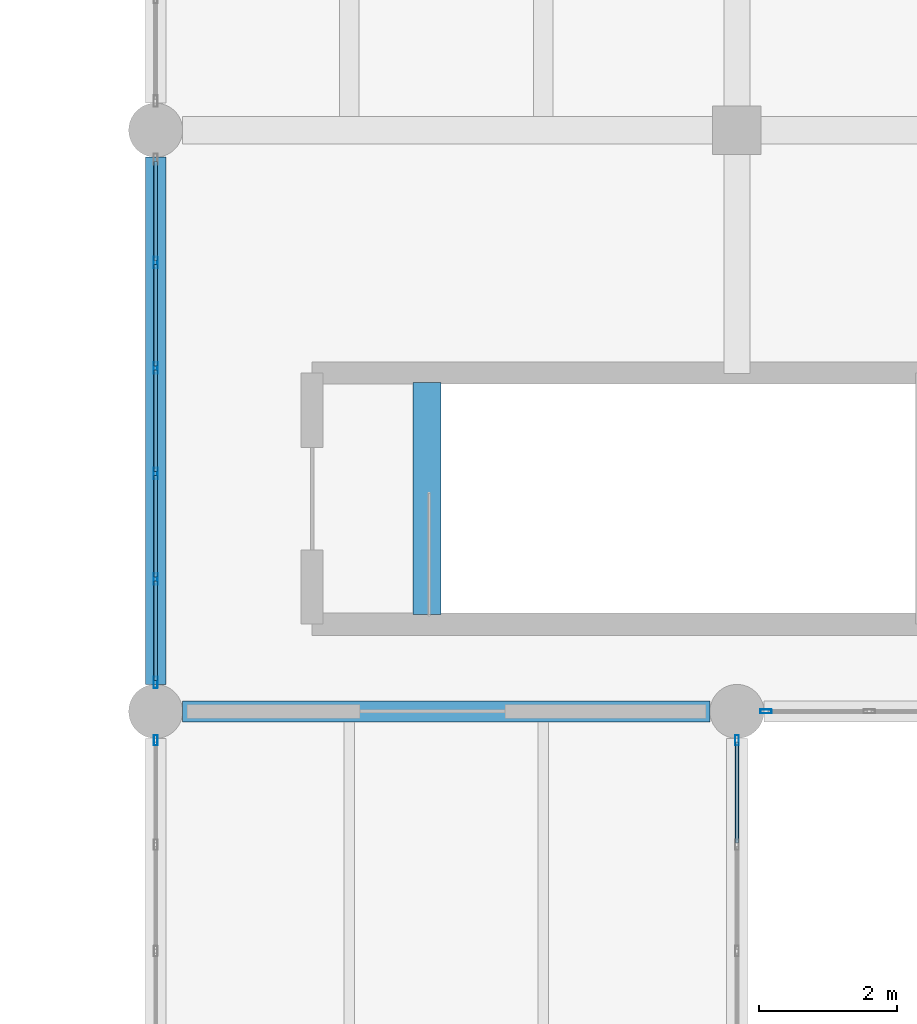
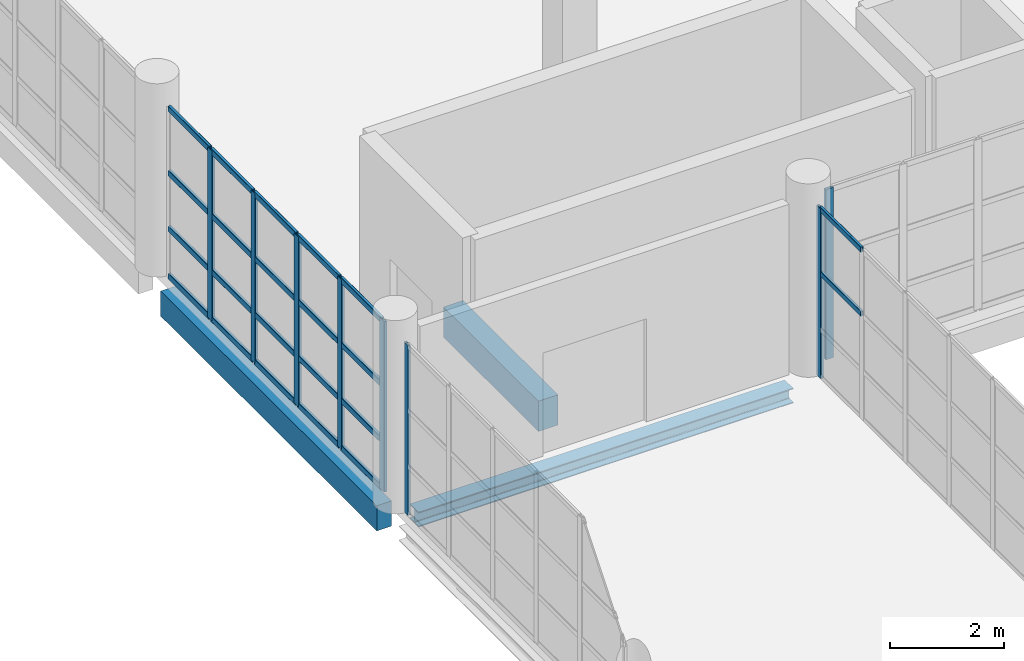
# One storey, part 61 of 177: 30 members, 3 beams, 4 elements without a shape of their own.
"""IFC4 building model written with IfcOpenShell, lengths in metres."""

from ifc_helpers import new_model, si_unit, direction, frame, origin, origin_2d, place, context, subcontext, project, spatial, rectangle, hollow_rectangle, i_section, extrude, material, layer, layer_set, material_profile, profile_set, type_object, element, aggregate, save


model = new_model("IFC4")

# Units and contexts
model_context = context("Model", 3, precision=1e-05, world=origin(), true_north=direction((0.0, 1.0)))
body_context = subcontext(model_context, "Body", "Model", "MODEL_VIEW")
ifc_project = project(units=[si_unit("LENGTHUNIT", "METRE"), si_unit("AREAUNIT", "SQUARE_METRE"), si_unit("VOLUMEUNIT", "CUBIC_METRE"), si_unit("PLANEANGLEUNIT", "RADIAN"), si_unit("MASSUNIT", "GRAM", prefix="KILO"), si_unit("THERMODYNAMICTEMPERATUREUNIT", "KELVIN"), si_unit("POWERUNIT", "WATT")], contexts=[model_context])

# Site, building, storey
site_placement = place(None, origin())
site = spatial("IfcSite", under=ifc_project, at=site_placement, CompositionType="ELEMENT")
building_placement = place(site_placement, origin())
building = spatial("IfcBuilding", under=site, at=building_placement, Name="Mavoryth Pier Ferry Terminal", CompositionType="ELEMENT")
storey_placement = place(building_placement, frame((0.0, 0.0, 5.43994140625)))
storey = spatial("IfcBuildingStorey", under=building, at=storey_placement, Name="L01", CompositionType="ELEMENT", Elevation=5.43994140625)

# Beam
ifc_material_1 = material(Name="Concrete C35/45", Category="concrete")
ifc_material_profile_1 = material_profile(ifc_material_1, rectangle(XDim=0.39990234375, YDim=0.64990234375, at=origin_2d()), Name="RC 400x650", Category="concrete")
ifc_profile_set_1 = profile_set([ifc_material_profile_1], Name="Concrete C35/45 - RC 400x650")
beam_type_1 = type_object("IfcBeamType", Name="Girder-RC-400x650", PredefinedType="BEAM", material=ifc_profile_set_1)
beam_1_placement = place(storey_placement, frame((54.320068359375, 73.800048828125, -0.324951171875), z_axis=(0.0, 1.0, 0.0), x_axis=(-1.0, 0.0, 0.0)))
element("IfcBeam", 1, at=beam_1_placement, inside=storey, type_object=beam_type_1, Name="Beam B01-BG05-1571", PredefinedType="BEAM", context=body_context, shape_type="SweptSolid", body=[
    extrude(rectangle(XDim=0.39990234375, YDim=0.64990234375, at=origin_2d()), origin(), (0.0, 0.0, 1.0), 3.349853515625),
])

# Curtain wall, member
ifc_material_2 = material(Name="Anodised Aluminium and Solar-Control Low-E Glass", Category="aluminium")
ifc_layer_1 = layer(ifc_material_2, 0.1201171875, Name="Anodised Aluminium and Solar-Control Low-E Glass", Category="aluminium")
ifc_layer_set_1 = layer_set([ifc_layer_1], Name="Anodised Aluminium and Solar-Control Low-E Glass - CW-BridgeLink-Mod1400")
curtain_wall_type_1 = type_object("IfcCurtainWallType", Name="CW-BridgeLink-Mod1400", PredefinedType="USERDEFINED", material=ifc_layer_set_1)
curtain_wall_1_placement = place(storey_placement, origin())
curtain_wall_1 = element("IfcCurtainWall", 2, at=curtain_wall_1_placement, inside=storey, type_object=curtain_wall_type_1, Name="Curtain Wall CW-0111-108", ObjectType="UNITISED CURTAIN WALL", PredefinedType="USERDEFINED")
ifc_material_3 = material(Name="Anodised Aluminium EN AW-6063", Category="aluminium")
ifc_material_profile_2 = material_profile(ifc_material_3, hollow_rectangle(XDim=0.054931640625, YDim=0.14990234375, WallThickness=0.00390625, InnerFilletRadius=0.00390625, OuterFilletRadius=0.008056640625, at=origin_2d()), Name="AL-MULL 150x55x4", Category="aluminium")
ifc_profile_set_2 = profile_set([ifc_material_profile_2], Name="Anodised Aluminium EN AW-6063 - AL-MULL 150x55x4")
member_type_1 = type_object("IfcMemberType", Name="Mullion-Alum-150x55", PredefinedType="MULLION", material=ifc_profile_set_2)
member_1_placement = place(storey_placement, frame((50.39990234375, 71.982421875, 0.0), z_axis=(0.0, 0.0, 1.0), x_axis=(1.0, 0.0, 0.0)))
member_1 = element("IfcMember", 3, at=member_1_placement, type_object=member_type_1, Name="CW08 mullion 1", PredefinedType="MULLION", context=body_context, shape_type="SweptSolid", body=[
    extrude(hollow_rectangle(XDim=0.054931640625, YDim=0.14990234375, WallThickness=0.00390625, InnerFilletRadius=0.00390625, OuterFilletRadius=0.008056640625, at=origin_2d()), origin(), (0.0, 0.0, 1.0), 3.655029296875),
])
aggregate(curtain_wall_1, [member_1])

curtain_wall_2_placement = place(storey_placement, origin())
curtain_wall_2 = element("IfcCurtainWall", 4, at=curtain_wall_2_placement, inside=storey, type_object=curtain_wall_type_1, Name="Curtain Wall CW-0111-109", ObjectType="UNITISED CURTAIN WALL", PredefinedType="USERDEFINED")
member_2_placement = place(storey_placement, frame((58.800048828125, 71.982421875, 0.0), z_axis=(0.0, 0.0, 1.0), x_axis=(-1.0, 0.0, 0.0)))
member_2 = element("IfcMember", 5, at=member_2_placement, type_object=member_type_1, Name="CW08 mullion 6", PredefinedType="MULLION", context=body_context, shape_type="SweptSolid", body=[
    extrude(hollow_rectangle(XDim=0.054931640625, YDim=0.14990234375, WallThickness=0.00390625, InnerFilletRadius=0.00390625, OuterFilletRadius=0.008056640625, at=origin_2d()), origin(), (0.0, 0.0, 1.0), 3.655029296875),
])

ifc_layer_2 = layer(ifc_material_2, 0.159912109375, Name="Anodised Aluminium and Solar-Control Low-E Glass", Category="aluminium")
ifc_layer_set_2 = layer_set([ifc_layer_2], Name="Anodised Aluminium and Solar-Control Low-E Glass - CW-Arrivals-Mod1400")
curtain_wall_type_2 = type_object("IfcCurtainWallType", Name="CW-Arrivals-Mod1400", PredefinedType="USERDEFINED", material=ifc_layer_set_2)
curtain_wall_3_placement = place(storey_placement, origin())
curtain_wall_3 = element("IfcCurtainWall", 6, at=curtain_wall_3_placement, inside=storey, type_object=curtain_wall_type_2, Name="Curtain Wall CW-0122-053", ObjectType="UNITISED CURTAIN WALL", PredefinedType="USERDEFINED")
ifc_material_profile_3 = material_profile(ifc_material_3, hollow_rectangle(XDim=0.06005859375, YDim=0.1650390625, WallThickness=0.00390625, InnerFilletRadius=0.00390625, OuterFilletRadius=0.008056640625, at=origin_2d()), Name="AL-MULL 165x60x4", Category="aluminium")
ifc_profile_set_3 = profile_set([ifc_material_profile_3], Name="Anodised Aluminium EN AW-6063 - AL-MULL 165x60x4")
member_type_2 = type_object("IfcMemberType", Name="Mullion-Alum-165x60", PredefinedType="MULLION", material=ifc_profile_set_3)
member_3_placement = place(storey_placement, frame((59.219970703125, 72.39990234375, 0.0), z_axis=(0.0, 0.0, 1.0), x_axis=(0.0, 1.0, 0.0)))
member_3 = element("IfcMember", 7, at=member_3_placement, type_object=member_type_2, Name="CW04 mullion 1", PredefinedType="MULLION", context=body_context, shape_type="SweptSolid", body=[
    extrude(hollow_rectangle(XDim=0.06005859375, YDim=0.1650390625, WallThickness=0.00390625, InnerFilletRadius=0.00390625, OuterFilletRadius=0.008056640625, at=origin_2d()), origin(), (0.0, 0.0, 1.0), 3.66015625),
])
aggregate(curtain_wall_3, [member_3])

# Curtain wall, members
curtain_wall_4_placement = place(storey_placement, origin())
curtain_wall_4 = element("IfcCurtainWall", 8, at=curtain_wall_4_placement, inside=storey, type_object=curtain_wall_type_2, Name="Curtain Wall CW-0122-064", ObjectType="UNITISED CURTAIN WALL", PredefinedType="USERDEFINED")
member_4_placement = place(storey_placement, frame((50.39990234375, 78.885986328125, 0.0), z_axis=(0.0, 0.0, 1.0), x_axis=(1.0, 0.0, 0.0)))
member_4 = element("IfcMember", 9, at=member_4_placement, type_object=member_type_2, Name="CW04 mullion 2", PredefinedType="MULLION", context=body_context, shape_type="SweptSolid", body=[
    extrude(hollow_rectangle(XDim=0.06005859375, YDim=0.1650390625, WallThickness=0.00390625, InnerFilletRadius=0.00390625, OuterFilletRadius=0.008056640625, at=origin_2d()), origin(), (0.0, 0.0, 1.0), 3.66015625),
])
member_5_placement = place(storey_placement, frame((50.39990234375, 77.362060546875, 0.0), z_axis=(0.0, 0.0, 1.0), x_axis=(1.0, 0.0, 0.0)))
member_5 = element("IfcMember", 10, at=member_5_placement, type_object=member_type_2, Name="CW04 mullion 3", PredefinedType="MULLION", context=body_context, shape_type="SweptSolid", body=[
    extrude(hollow_rectangle(XDim=0.06005859375, YDim=0.1650390625, WallThickness=0.00390625, InnerFilletRadius=0.00390625, OuterFilletRadius=0.008056640625, at=origin_2d()), origin(), (0.0, 0.0, 1.0), 3.66015625),
])
member_6_placement = place(storey_placement, frame((50.39990234375, 75.837890625, 0.0), z_axis=(0.0, 0.0, 1.0), x_axis=(1.0, 0.0, 0.0)))
member_6 = element("IfcMember", 11, at=member_6_placement, type_object=member_type_2, Name="CW04 mullion 4", PredefinedType="MULLION", context=body_context, shape_type="SweptSolid", body=[
    extrude(hollow_rectangle(XDim=0.06005859375, YDim=0.1650390625, WallThickness=0.00390625, InnerFilletRadius=0.00390625, OuterFilletRadius=0.008056640625, at=origin_2d()), origin(), (0.0, 0.0, 1.0), 3.66015625),
])
member_7_placement = place(storey_placement, frame((50.39990234375, 74.31396484375, 0.0), z_axis=(0.0, 0.0, 1.0), x_axis=(1.0, 0.0, 0.0)))
member_7 = element("IfcMember", 12, at=member_7_placement, type_object=member_type_2, Name="CW04 mullion 5", PredefinedType="MULLION", context=body_context, shape_type="SweptSolid", body=[
    extrude(hollow_rectangle(XDim=0.06005859375, YDim=0.1650390625, WallThickness=0.00390625, InnerFilletRadius=0.00390625, OuterFilletRadius=0.008056640625, at=origin_2d()), origin(), (0.0, 0.0, 1.0), 3.66015625),
])
member_8_placement = place(storey_placement, frame((50.39990234375, 72.820068359375, 0.0), z_axis=(0.0, 0.0, 1.0), x_axis=(1.0, 0.0, 0.0)))
member_8 = element("IfcMember", 13, at=member_8_placement, type_object=member_type_2, Name="CW04 mullion 6", PredefinedType="MULLION", context=body_context, shape_type="SweptSolid", body=[
    extrude(hollow_rectangle(XDim=0.06005859375, YDim=0.1650390625, WallThickness=0.00390625, InnerFilletRadius=0.00390625, OuterFilletRadius=0.008056640625, at=origin_2d()), origin(), (0.0, 0.0, 1.0), 3.66015625),
])

# Beams
ifc_material_profile_4 = material_profile(ifc_material_1, rectangle(XDim=0.300048828125, YDim=0.5400390625, at=origin_2d()), Name="RC 300x540", Category="concrete")
ifc_profile_set_4 = profile_set([ifc_material_profile_4], Name="Concrete C35/45 - RC 300x540")
beam_type_2 = type_object("IfcBeamType", Name="Spandrel-RC-300x540", PredefinedType="SPANDREL", material=ifc_profile_set_4)
beam_2_placement = place(storey_placement, frame((50.39990234375, 72.7900390625, -0.550048828125), z_axis=(0.0, 1.0, 0.0), x_axis=(-1.0, 0.0, 0.0)))
element("IfcBeam", 14, at=beam_2_placement, inside=storey, type_object=beam_type_2, Name="Beam B01-SP02-0204", PredefinedType="SPANDREL", context=body_context, shape_type="SweptSolid", body=[
    extrude(rectangle(XDim=0.300048828125, YDim=0.5400390625, at=origin_2d()), origin(), (0.0, 0.0, 1.0), 7.619873046875),
])
ifc_material_4 = material(Name="Steel S355J2", Category="steel")
ifc_material_profile_5 = material_profile(ifc_material_4, i_section(OverallWidth=0.300048828125, OverallDepth=0.320068359375, WebThickness=0.011474609375, FlangeThickness=0.0205078125, FilletRadius=0.027099609375, at=origin_2d()), Name="HEB 320", Category="steel")
ifc_profile_set_5 = profile_set([ifc_material_profile_5], Name="Steel S355J2 - HEB 320")
beam_type_3 = type_object("IfcBeamType", Name="Spandrel-Steel-HEB320", PredefinedType="SPANDREL", material=ifc_profile_set_5)
beam_3_placement = place(storey_placement, frame((50.7900390625, 72.39990234375, -0.43994140625), z_axis=(1.0, 0.0, 0.0), x_axis=(0.0, 1.0, 0.0)))
element("IfcBeam", 15, at=beam_3_placement, inside=storey, type_object=beam_type_3, Name="Beam B01-SP04-0163", PredefinedType="SPANDREL", context=body_context, shape_type="SweptSolid", body=[
    extrude(i_section(OverallWidth=0.300048828125, OverallDepth=0.320068359375, WebThickness=0.011474609375, FlangeThickness=0.0205078125, FilletRadius=0.027099609375, at=origin_2d()), origin(), (0.0, 0.0, 1.0), 7.619873046875),
])

# Member
ifc_material_profile_6 = material_profile(ifc_material_3, hollow_rectangle(XDim=0.054931640625, YDim=0.110107421875, WallThickness=0.00390625, InnerFilletRadius=0.00390625, OuterFilletRadius=0.008056640625, at=origin_2d()), Name="AL-TRAN 110x55x4", Category="aluminium")
ifc_profile_set_6 = profile_set([ifc_material_profile_6], Name="Anodised Aluminium EN AW-6063 - AL-TRAN 110x55x4")
member_type_3 = type_object("IfcMemberType", Name="Transom-Alum-110x55", PredefinedType="USERDEFINED", material=ifc_profile_set_6)
member_9_placement = place(storey_placement, frame((58.800048828125, 70.50048828125, 2.25), z_axis=(0.0, 1.0, 0.0), x_axis=(-1.0, 0.0, 0.0)))
member_9 = element("IfcMember", 16, at=member_9_placement, type_object=member_type_3, Name="CW08 transom 5.3", ObjectType="TRANSOM", PredefinedType="USERDEFINED", context=body_context, shape_type="SweptSolid", body=[
    extrude(hollow_rectangle(XDim=0.054931640625, YDim=0.110107421875, WallThickness=0.00390625, InnerFilletRadius=0.00390625, OuterFilletRadius=0.008056640625, at=origin_2d()), origin(), (0.0, 0.0, 1.0), 1.45458984375),
])

member_10_placement = place(storey_placement, frame((58.800048828125, 70.50048828125, 3.62744140625), z_axis=(0.0, 1.0, 0.0), x_axis=(-1.0, 0.0, 0.0)))
member_10 = element("IfcMember", 17, at=member_10_placement, type_object=member_type_3, Name="CW08 transom 5.4", ObjectType="TRANSOM", PredefinedType="USERDEFINED", context=body_context, shape_type="SweptSolid", body=[
    extrude(hollow_rectangle(XDim=0.054931640625, YDim=0.110107421875, WallThickness=0.00390625, InnerFilletRadius=0.00390625, OuterFilletRadius=0.008056640625, at=origin_2d()), origin(), (0.0, 0.0, 1.0), 1.45458984375),
])

aggregate(curtain_wall_2, [member_2, member_9, member_10])

ifc_material_profile_7 = material_profile(ifc_material_3, hollow_rectangle(XDim=0.06005859375, YDim=0.125, WallThickness=0.00390625, InnerFilletRadius=0.00390625, OuterFilletRadius=0.008056640625, at=origin_2d()), Name="AL-TRAN 125x60x4", Category="aluminium")
ifc_profile_set_7 = profile_set([ifc_material_profile_7], Name="Anodised Aluminium EN AW-6063 - AL-TRAN 125x60x4")
member_type_4 = type_object("IfcMemberType", Name="Transom-Alum-125x60", PredefinedType="USERDEFINED", material=ifc_profile_set_7)
member_11_placement = place(storey_placement, frame((50.39990234375, 80.35009765625, 0.030029296875), z_axis=(0.0, -1.0, 0.0), x_axis=(1.0, 0.0, 0.0)))
member_11 = element("IfcMember", 18, at=member_11_placement, type_object=member_type_4, Name="CW04 transom 1.1", ObjectType="TRANSOM", PredefinedType="USERDEFINED", context=body_context, shape_type="SweptSolid", body=[
    extrude(hollow_rectangle(XDim=0.06005859375, YDim=0.125, WallThickness=0.00390625, InnerFilletRadius=0.00390625, OuterFilletRadius=0.008056640625, at=origin_2d()), origin(), (0.0, 0.0, 1.0), 1.43408203125),
])

member_12_placement = place(storey_placement, frame((50.39990234375, 80.35009765625, 1.050048828125), z_axis=(0.0, -1.0, 0.0), x_axis=(1.0, 0.0, 0.0)))
member_12 = element("IfcMember", 19, at=member_12_placement, type_object=member_type_4, Name="CW04 transom 1.2", ObjectType="TRANSOM", PredefinedType="USERDEFINED", context=body_context, shape_type="SweptSolid", body=[
    extrude(hollow_rectangle(XDim=0.06005859375, YDim=0.125, WallThickness=0.00390625, InnerFilletRadius=0.00390625, OuterFilletRadius=0.008056640625, at=origin_2d()), origin(), (0.0, 0.0, 1.0), 1.43408203125),
])

member_13_placement = place(storey_placement, frame((50.39990234375, 80.35009765625, 2.25), z_axis=(0.0, -1.0, 0.0), x_axis=(1.0, 0.0, 0.0)))
member_13 = element("IfcMember", 20, at=member_13_placement, type_object=member_type_4, Name="CW04 transom 1.3", ObjectType="TRANSOM", PredefinedType="USERDEFINED", context=body_context, shape_type="SweptSolid", body=[
    extrude(hollow_rectangle(XDim=0.06005859375, YDim=0.125, WallThickness=0.00390625, InnerFilletRadius=0.00390625, OuterFilletRadius=0.008056640625, at=origin_2d()), origin(), (0.0, 0.0, 1.0), 1.43408203125),
])

member_14_placement = place(storey_placement, frame((50.39990234375, 80.35009765625, 3.630126953125), z_axis=(0.0, -1.0, 0.0), x_axis=(1.0, 0.0, 0.0)))
member_14 = element("IfcMember", 21, at=member_14_placement, type_object=member_type_4, Name="CW04 transom 1.4", ObjectType="TRANSOM", PredefinedType="USERDEFINED", context=body_context, shape_type="SweptSolid", body=[
    extrude(hollow_rectangle(XDim=0.06005859375, YDim=0.125, WallThickness=0.00390625, InnerFilletRadius=0.00390625, OuterFilletRadius=0.008056640625, at=origin_2d()), origin(), (0.0, 0.0, 1.0), 1.43408203125),
])

member_15_placement = place(storey_placement, frame((50.39990234375, 78.85595703125, 0.030029296875), z_axis=(0.0, -1.0, 0.0), x_axis=(1.0, 0.0, 0.0)))
member_15 = element("IfcMember", 22, at=member_15_placement, type_object=member_type_4, Name="CW04 transom 2.1", ObjectType="TRANSOM", PredefinedType="USERDEFINED", context=body_context, shape_type="SweptSolid", body=[
    extrude(hollow_rectangle(XDim=0.06005859375, YDim=0.125, WallThickness=0.00390625, InnerFilletRadius=0.00390625, OuterFilletRadius=0.008056640625, at=origin_2d()), origin(), (0.0, 0.0, 1.0), 1.4638671875),
])

member_16_placement = place(storey_placement, frame((50.39990234375, 78.85595703125, 1.050048828125), z_axis=(0.0, -1.0, 0.0), x_axis=(1.0, 0.0, 0.0)))
member_16 = element("IfcMember", 23, at=member_16_placement, type_object=member_type_4, Name="CW04 transom 2.2", ObjectType="TRANSOM", PredefinedType="USERDEFINED", context=body_context, shape_type="SweptSolid", body=[
    extrude(hollow_rectangle(XDim=0.06005859375, YDim=0.125, WallThickness=0.00390625, InnerFilletRadius=0.00390625, OuterFilletRadius=0.008056640625, at=origin_2d()), origin(), (0.0, 0.0, 1.0), 1.4638671875),
])

member_17_placement = place(storey_placement, frame((50.39990234375, 78.85595703125, 2.25), z_axis=(0.0, -1.0, 0.0), x_axis=(1.0, 0.0, 0.0)))
member_17 = element("IfcMember", 24, at=member_17_placement, type_object=member_type_4, Name="CW04 transom 2.3", ObjectType="TRANSOM", PredefinedType="USERDEFINED", context=body_context, shape_type="SweptSolid", body=[
    extrude(hollow_rectangle(XDim=0.06005859375, YDim=0.125, WallThickness=0.00390625, InnerFilletRadius=0.00390625, OuterFilletRadius=0.008056640625, at=origin_2d()), origin(), (0.0, 0.0, 1.0), 1.4638671875),
])

member_18_placement = place(storey_placement, frame((50.39990234375, 78.85595703125, 3.630126953125), z_axis=(0.0, -1.0, 0.0), x_axis=(1.0, 0.0, 0.0)))
member_18 = element("IfcMember", 25, at=member_18_placement, type_object=member_type_4, Name="CW04 transom 2.4", ObjectType="TRANSOM", PredefinedType="USERDEFINED", context=body_context, shape_type="SweptSolid", body=[
    extrude(hollow_rectangle(XDim=0.06005859375, YDim=0.125, WallThickness=0.00390625, InnerFilletRadius=0.00390625, OuterFilletRadius=0.008056640625, at=origin_2d()), origin(), (0.0, 0.0, 1.0), 1.4638671875),
])

member_19_placement = place(storey_placement, frame((50.39990234375, 77.33203125, 0.030029296875), z_axis=(0.0, -1.0, 0.0), x_axis=(1.0, 0.0, 0.0)))
member_19 = element("IfcMember", 26, at=member_19_placement, type_object=member_type_4, Name="CW04 transom 3.1", ObjectType="TRANSOM", PredefinedType="USERDEFINED", context=body_context, shape_type="SweptSolid", body=[
    extrude(hollow_rectangle(XDim=0.06005859375, YDim=0.125, WallThickness=0.00390625, InnerFilletRadius=0.00390625, OuterFilletRadius=0.008056640625, at=origin_2d()), origin(), (0.0, 0.0, 1.0), 1.464111328125),
])

member_20_placement = place(storey_placement, frame((50.39990234375, 77.33203125, 1.050048828125), z_axis=(0.0, -1.0, 0.0), x_axis=(1.0, 0.0, 0.0)))
member_20 = element("IfcMember", 27, at=member_20_placement, type_object=member_type_4, Name="CW04 transom 3.2", ObjectType="TRANSOM", PredefinedType="USERDEFINED", context=body_context, shape_type="SweptSolid", body=[
    extrude(hollow_rectangle(XDim=0.06005859375, YDim=0.125, WallThickness=0.00390625, InnerFilletRadius=0.00390625, OuterFilletRadius=0.008056640625, at=origin_2d()), origin(), (0.0, 0.0, 1.0), 1.464111328125),
])

member_21_placement = place(storey_placement, frame((50.39990234375, 77.33203125, 2.25), z_axis=(0.0, -1.0, 0.0), x_axis=(1.0, 0.0, 0.0)))
member_21 = element("IfcMember", 28, at=member_21_placement, type_object=member_type_4, Name="CW04 transom 3.3", ObjectType="TRANSOM", PredefinedType="USERDEFINED", context=body_context, shape_type="SweptSolid", body=[
    extrude(hollow_rectangle(XDim=0.06005859375, YDim=0.125, WallThickness=0.00390625, InnerFilletRadius=0.00390625, OuterFilletRadius=0.008056640625, at=origin_2d()), origin(), (0.0, 0.0, 1.0), 1.464111328125),
])

member_22_placement = place(storey_placement, frame((50.39990234375, 77.33203125, 3.630126953125), z_axis=(0.0, -1.0, 0.0), x_axis=(1.0, 0.0, 0.0)))
member_22 = element("IfcMember", 29, at=member_22_placement, type_object=member_type_4, Name="CW04 transom 3.4", ObjectType="TRANSOM", PredefinedType="USERDEFINED", context=body_context, shape_type="SweptSolid", body=[
    extrude(hollow_rectangle(XDim=0.06005859375, YDim=0.125, WallThickness=0.00390625, InnerFilletRadius=0.00390625, OuterFilletRadius=0.008056640625, at=origin_2d()), origin(), (0.0, 0.0, 1.0), 1.464111328125),
])

member_23_placement = place(storey_placement, frame((50.39990234375, 75.80810546875, 0.030029296875), z_axis=(0.0, -1.0, 0.0), x_axis=(1.0, 0.0, 0.0)))
member_23 = element("IfcMember", 30, at=member_23_placement, type_object=member_type_4, Name="CW04 transom 4.1", ObjectType="TRANSOM", PredefinedType="USERDEFINED", context=body_context, shape_type="SweptSolid", body=[
    extrude(hollow_rectangle(XDim=0.06005859375, YDim=0.125, WallThickness=0.00390625, InnerFilletRadius=0.00390625, OuterFilletRadius=0.008056640625, at=origin_2d()), origin(), (0.0, 0.0, 1.0), 1.464111328125),
])

member_24_placement = place(storey_placement, frame((50.39990234375, 75.80810546875, 1.050048828125), z_axis=(0.0, -1.0, 0.0), x_axis=(1.0, 0.0, 0.0)))
member_24 = element("IfcMember", 31, at=member_24_placement, type_object=member_type_4, Name="CW04 transom 4.2", ObjectType="TRANSOM", PredefinedType="USERDEFINED", context=body_context, shape_type="SweptSolid", body=[
    extrude(hollow_rectangle(XDim=0.06005859375, YDim=0.125, WallThickness=0.00390625, InnerFilletRadius=0.00390625, OuterFilletRadius=0.008056640625, at=origin_2d()), origin(), (0.0, 0.0, 1.0), 1.464111328125),
])

member_25_placement = place(storey_placement, frame((50.39990234375, 75.80810546875, 2.25), z_axis=(0.0, -1.0, 0.0), x_axis=(1.0, 0.0, 0.0)))
member_25 = element("IfcMember", 32, at=member_25_placement, type_object=member_type_4, Name="CW04 transom 4.3", ObjectType="TRANSOM", PredefinedType="USERDEFINED", context=body_context, shape_type="SweptSolid", body=[
    extrude(hollow_rectangle(XDim=0.06005859375, YDim=0.125, WallThickness=0.00390625, InnerFilletRadius=0.00390625, OuterFilletRadius=0.008056640625, at=origin_2d()), origin(), (0.0, 0.0, 1.0), 1.464111328125),
])

member_26_placement = place(storey_placement, frame((50.39990234375, 75.80810546875, 3.630126953125), z_axis=(0.0, -1.0, 0.0), x_axis=(1.0, 0.0, 0.0)))
member_26 = element("IfcMember", 33, at=member_26_placement, type_object=member_type_4, Name="CW04 transom 4.4", ObjectType="TRANSOM", PredefinedType="USERDEFINED", context=body_context, shape_type="SweptSolid", body=[
    extrude(hollow_rectangle(XDim=0.06005859375, YDim=0.125, WallThickness=0.00390625, InnerFilletRadius=0.00390625, OuterFilletRadius=0.008056640625, at=origin_2d()), origin(), (0.0, 0.0, 1.0), 1.464111328125),
])

member_27_placement = place(storey_placement, frame((50.39990234375, 74.283935546875, 0.030029296875), z_axis=(0.0, -1.0, 0.0), x_axis=(1.0, 0.0, 0.0)))
member_27 = element("IfcMember", 34, at=member_27_placement, type_object=member_type_4, Name="CW04 transom 5.1", ObjectType="TRANSOM", PredefinedType="USERDEFINED", context=body_context, shape_type="SweptSolid", body=[
    extrude(hollow_rectangle(XDim=0.06005859375, YDim=0.125, WallThickness=0.00390625, InnerFilletRadius=0.00390625, OuterFilletRadius=0.008056640625, at=origin_2d()), origin(), (0.0, 0.0, 1.0), 1.433837890625),
])

member_28_placement = place(storey_placement, frame((50.39990234375, 74.283935546875, 1.050048828125), z_axis=(0.0, -1.0, 0.0), x_axis=(1.0, 0.0, 0.0)))
member_28 = element("IfcMember", 35, at=member_28_placement, type_object=member_type_4, Name="CW04 transom 5.2", ObjectType="TRANSOM", PredefinedType="USERDEFINED", context=body_context, shape_type="SweptSolid", body=[
    extrude(hollow_rectangle(XDim=0.06005859375, YDim=0.125, WallThickness=0.00390625, InnerFilletRadius=0.00390625, OuterFilletRadius=0.008056640625, at=origin_2d()), origin(), (0.0, 0.0, 1.0), 1.433837890625),
])

member_29_placement = place(storey_placement, frame((50.39990234375, 74.283935546875, 2.25), z_axis=(0.0, -1.0, 0.0), x_axis=(1.0, 0.0, 0.0)))
member_29 = element("IfcMember", 36, at=member_29_placement, type_object=member_type_4, Name="CW04 transom 5.3", ObjectType="TRANSOM", PredefinedType="USERDEFINED", context=body_context, shape_type="SweptSolid", body=[
    extrude(hollow_rectangle(XDim=0.06005859375, YDim=0.125, WallThickness=0.00390625, InnerFilletRadius=0.00390625, OuterFilletRadius=0.008056640625, at=origin_2d()), origin(), (0.0, 0.0, 1.0), 1.433837890625),
])

member_30_placement = place(storey_placement, frame((50.39990234375, 74.283935546875, 3.630126953125), z_axis=(0.0, -1.0, 0.0), x_axis=(1.0, 0.0, 0.0)))
member_30 = element("IfcMember", 37, at=member_30_placement, type_object=member_type_4, Name="CW04 transom 5.4", ObjectType="TRANSOM", PredefinedType="USERDEFINED", context=body_context, shape_type="SweptSolid", body=[
    extrude(hollow_rectangle(XDim=0.06005859375, YDim=0.125, WallThickness=0.00390625, InnerFilletRadius=0.00390625, OuterFilletRadius=0.008056640625, at=origin_2d()), origin(), (0.0, 0.0, 1.0), 1.433837890625),
])

aggregate(curtain_wall_4, [member_4, member_5, member_6, member_7, member_8, member_11, member_12, member_13, member_14, member_15, member_16, member_17, member_18, member_19, member_20, member_21, member_22, member_23, member_24, member_25, member_26, member_27, member_28, member_29, member_30])

save(model, "model.ifc")
